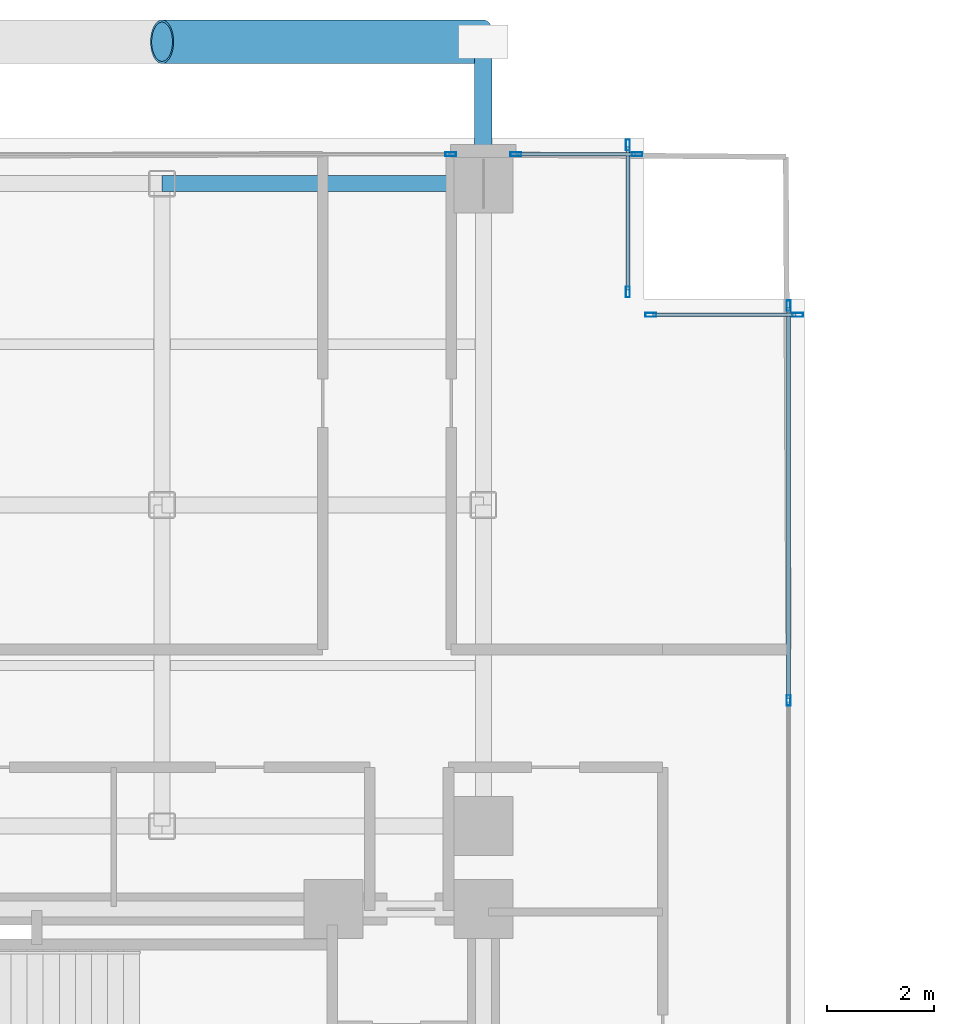
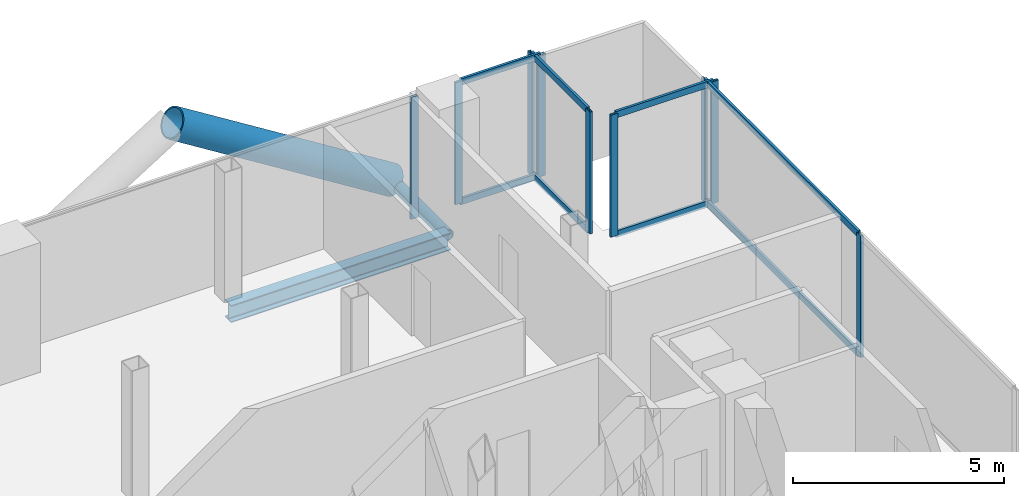
# One storey, part 16 of 24: 19 members, 1 beam, 5 elements without a shape of their own.
"""IFC4 building model written with IfcOpenShell, lengths in metres."""

from ifc_helpers import new_model, si_unit, direction, frame, origin, origin_2d, place, context, subcontext, project, spatial, hollow_rectangle, hollow_circle, i_section, extrude, material, layer, layer_set, material_profile, profile_set, type_object, element, aggregate, save


model = new_model("IFC4")

# Units and contexts
model_context = context("Model", 3, precision=1e-05, world=origin(), true_north=direction((0.0, 1.0)))
body_context = subcontext(model_context, "Body", "Model", "MODEL_VIEW")
ifc_project = project(units=[si_unit("LENGTHUNIT", "METRE"), si_unit("AREAUNIT", "SQUARE_METRE"), si_unit("VOLUMEUNIT", "CUBIC_METRE"), si_unit("PLANEANGLEUNIT", "RADIAN"), si_unit("MASSUNIT", "GRAM", prefix="KILO"), si_unit("THERMODYNAMICTEMPERATUREUNIT", "KELVIN"), si_unit("POWERUNIT", "WATT")], contexts=[model_context])

# Site, building, storey
site_placement = place(None, origin())
site = spatial("IfcSite", under=ifc_project, at=site_placement, CompositionType="ELEMENT")
building_placement = place(site_placement, origin())
building = spatial("IfcBuilding", under=site, at=building_placement, Name="Svarakhadi Broadcast Tower", CompositionType="ELEMENT")
storey_placement = place(building_placement, frame((0.0, 0.0, 141.89990234375)))
storey = spatial("IfcBuildingStorey", under=building, at=storey_placement, Name="L34", CompositionType="ELEMENT", Elevation=141.89990234375)

# Curtain wall, member
ifc_material_1 = material(Name="Anodised Bronze Aluminium AA 6063-T6", Category="aluminium")
ifc_layer = layer(ifc_material_1, 0.199951171875)
ifc_layer_set = layer_set([ifc_layer], Name="Anodised Bronze Aluminium AA 6063-T6")
curtain_wall_type = type_object("IfcCurtainWallType", Name="CW_Sys_03", PredefinedType="NOTDEFINED", material=ifc_layer_set)
curtain_wall_1_placement = place(storey_placement, origin())
curtain_wall_1 = element("IfcCurtainWall", 1, at=curtain_wall_1_placement, inside=storey, type_object=curtain_wall_type, Name="L34 Unitised Facade Curtain Wall 06 Bay 2", PredefinedType="NOTDEFINED")
ifc_material_profile_1 = material_profile(ifc_material_1, hollow_rectangle(XDim=0.074951171875, YDim=0.199951171875, WallThickness=0.005615234375, at=origin_2d()), Name="ALU MULLION 200x75x6")
ifc_profile_set_1 = profile_set([ifc_material_profile_1], Name="Anodised Bronze Aluminium AA 6063-T6")
member_type_1 = type_object("IfcMemberType", Name="CW_Sys_03_Mul", PredefinedType="MULLION", material=ifc_profile_set_1)
member_1_placement = place(storey_placement, frame((17.392578125, 41.699951171875, 0.0), z_axis=(0.0, 0.0, 1.0), x_axis=(0.0, 1.0, 0.0)))
member_1 = element("IfcMember", 2, at=member_1_placement, type_object=member_type_1, Name="CW-03 mullion 2", PredefinedType="MULLION", context=body_context, shape_type="SweptSolid", body=[
    extrude(hollow_rectangle(XDim=0.074951171875, YDim=0.199951171875, WallThickness=0.005615234375, at=origin_2d()), origin(), (0.0, 0.0, 1.0), 3.525146484375),
])
aggregate(curtain_wall_1, [member_1])

# Curtain wall, members
curtain_wall_2_placement = place(storey_placement, origin())
curtain_wall_2 = element("IfcCurtainWall", 3, at=curtain_wall_2_placement, inside=storey, type_object=curtain_wall_type, Name="L34 Unitised Facade Curtain Wall 06 Bay 3", PredefinedType="NOTDEFINED")
member_2_placement = place(storey_placement, frame((18.607421875, 41.699951171875, 0.0), z_axis=(0.0, 0.0, 1.0), x_axis=(0.0, 1.0, 0.0)))
member_2 = element("IfcMember", 4, at=member_2_placement, type_object=member_type_1, Name="CW-03 mullion 1", PredefinedType="MULLION", context=body_context, shape_type="SweptSolid", body=[
    extrude(hollow_rectangle(XDim=0.074951171875, YDim=0.199951171875, WallThickness=0.005615234375, at=origin_2d()), origin(), (0.0, 0.0, 1.0), 3.525146484375),
])
member_3_placement = place(storey_placement, frame((20.87255859375, 41.699951171875, 0.0), z_axis=(0.0, 0.0, 1.0), x_axis=(0.0, 1.0, 0.0)))
member_3 = element("IfcMember", 5, at=member_3_placement, type_object=member_type_1, Name="CW-03 mullion 2", PredefinedType="MULLION", context=body_context, shape_type="SweptSolid", body=[
    extrude(hollow_rectangle(XDim=0.074951171875, YDim=0.199951171875, WallThickness=0.005615234375, at=origin_2d()), origin(), (0.0, 0.0, 1.0), 3.525146484375),
])

curtain_wall_3_placement = place(storey_placement, origin())
curtain_wall_3 = element("IfcCurtainWall", 6, at=curtain_wall_3_placement, inside=storey, type_object=curtain_wall_type, Name="L34 Unitised Facade Curtain Wall 07", PredefinedType="NOTDEFINED")
member_4_placement = place(storey_placement, frame((20.699951171875, 41.87255859375, 0.0), z_axis=(0.0, 0.0, 1.0), x_axis=(1.0, 0.0, 0.0)))
member_4 = element("IfcMember", 7, at=member_4_placement, type_object=member_type_1, Name="CW-03 mullion 1", PredefinedType="MULLION", context=body_context, shape_type="SweptSolid", body=[
    extrude(hollow_rectangle(XDim=0.074951171875, YDim=0.199951171875, WallThickness=0.005615234375, at=origin_2d()), origin(), (0.0, 0.0, 1.0), 3.525146484375),
])
member_5_placement = place(storey_placement, frame((20.699951171875, 39.12744140625, 0.0), z_axis=(0.0, 0.0, 1.0), x_axis=(1.0, 0.0, 0.0)))
member_5 = element("IfcMember", 8, at=member_5_placement, type_object=member_type_1, Name="CW-03 mullion 2", PredefinedType="MULLION", context=body_context, shape_type="SweptSolid", body=[
    extrude(hollow_rectangle(XDim=0.074951171875, YDim=0.199951171875, WallThickness=0.005615234375, at=origin_2d()), origin(), (0.0, 0.0, 1.0), 3.525146484375),
])

curtain_wall_4_placement = place(storey_placement, origin())
curtain_wall_4 = element("IfcCurtainWall", 9, at=curtain_wall_4_placement, inside=storey, type_object=curtain_wall_type, Name="L34 Unitised Facade Curtain Wall 08", PredefinedType="NOTDEFINED")
member_6_placement = place(storey_placement, frame((21.12744140625, 38.699951171875, 0.0), z_axis=(0.0, 0.0, 1.0), x_axis=(0.0, 1.0, 0.0)))
member_6 = element("IfcMember", 10, at=member_6_placement, type_object=member_type_1, Name="CW-03 mullion 1", PredefinedType="MULLION", context=body_context, shape_type="SweptSolid", body=[
    extrude(hollow_rectangle(XDim=0.074951171875, YDim=0.199951171875, WallThickness=0.005615234375, at=origin_2d()), origin(), (0.0, 0.0, 1.0), 3.525146484375),
])
member_7_placement = place(storey_placement, frame((23.87255859375, 38.699951171875, 0.0), z_axis=(0.0, 0.0, 1.0), x_axis=(0.0, 1.0, 0.0)))
member_7 = element("IfcMember", 11, at=member_7_placement, type_object=member_type_1, Name="CW-03 mullion 2", PredefinedType="MULLION", context=body_context, shape_type="SweptSolid", body=[
    extrude(hollow_rectangle(XDim=0.074951171875, YDim=0.199951171875, WallThickness=0.005615234375, at=origin_2d()), origin(), (0.0, 0.0, 1.0), 3.525146484375),
])

curtain_wall_5_placement = place(storey_placement, origin())
curtain_wall_5 = element("IfcCurtainWall", 12, at=curtain_wall_5_placement, inside=storey, type_object=curtain_wall_type, Name="L34 Unitised Facade Curtain Wall 09", PredefinedType="NOTDEFINED")
member_8_placement = place(storey_placement, frame((23.699951171875, 38.87255859375, 0.0), z_axis=(0.0, 0.0, 1.0), x_axis=(1.0, 0.0, 0.0)))
member_8 = element("IfcMember", 13, at=member_8_placement, type_object=member_type_1, Name="CW-03 mullion 1", PredefinedType="MULLION", context=body_context, shape_type="SweptSolid", body=[
    extrude(hollow_rectangle(XDim=0.074951171875, YDim=0.199951171875, WallThickness=0.005615234375, at=origin_2d()), origin(), (0.0, 0.0, 1.0), 3.525146484375),
])
member_9_placement = place(storey_placement, frame((23.699951171875, 31.5, 0.0), z_axis=(0.0, 0.0, 1.0), x_axis=(1.0, 0.0, 0.0)))
member_9 = element("IfcMember", 14, at=member_9_placement, type_object=member_type_1, Name="CW-03 mullion 2", PredefinedType="MULLION", context=body_context, shape_type="SweptSolid", body=[
    extrude(hollow_rectangle(XDim=0.074951171875, YDim=0.199951171875, WallThickness=0.005615234375, at=origin_2d()), origin(), (0.0, 0.0, 1.0), 3.525146484375),
])

# Member
ifc_material_profile_2 = material_profile(ifc_material_1, hollow_rectangle(XDim=0.070068359375, YDim=0.18505859375, WallThickness=0.0048828125, at=origin_2d()), Name="ALU TRANSOM 185x70x5")
ifc_profile_set_2 = profile_set([ifc_material_profile_2], Name="Anodised Bronze Aluminium AA 6063-T6")
member_type_2 = type_object("IfcMemberType", Name="CW_Sys_03_Trn", PredefinedType="USERDEFINED", material=ifc_profile_set_2)
member_10_placement = place(storey_placement, frame((18.64501953125, 41.699951171875, 0.03515625), z_axis=(1.0, 0.0, 0.0), x_axis=(0.0, 1.0, 0.0)))
member_10 = element("IfcMember", 15, at=member_10_placement, type_object=member_type_2, Name="CW-03 transom 1.1", ObjectType="TRANSOM", PredefinedType="USERDEFINED", context=body_context, shape_type="SweptSolid", body=[
    extrude(hollow_rectangle(XDim=0.070068359375, YDim=0.18505859375, WallThickness=0.0048828125, at=origin_2d()), origin(), (0.0, 0.0, 1.0), 2.18994140625),
])

member_11_placement = place(storey_placement, frame((18.64501953125, 41.699951171875, 3.489990234375), z_axis=(1.0, 0.0, 0.0), x_axis=(0.0, 1.0, 0.0)))
member_11 = element("IfcMember", 16, at=member_11_placement, type_object=member_type_2, Name="CW-03 transom 1.2", ObjectType="TRANSOM", PredefinedType="USERDEFINED", context=body_context, shape_type="SweptSolid", body=[
    extrude(hollow_rectangle(XDim=0.070068359375, YDim=0.18505859375, WallThickness=0.0048828125, at=origin_2d()), origin(), (0.0, 0.0, 1.0), 2.18994140625),
])

aggregate(curtain_wall_2, [member_2, member_3, member_10, member_11])

member_12_placement = place(storey_placement, frame((20.699951171875, 41.8349609375, 0.03515625), z_axis=(0.0, -1.0, 0.0), x_axis=(1.0, 0.0, 0.0)))
member_12 = element("IfcMember", 17, at=member_12_placement, type_object=member_type_2, Name="CW-03 transom 1.1", ObjectType="TRANSOM", PredefinedType="USERDEFINED", context=body_context, shape_type="SweptSolid", body=[
    extrude(hollow_rectangle(XDim=0.070068359375, YDim=0.18505859375, WallThickness=0.0048828125, at=origin_2d()), origin(), (0.0, 0.0, 1.0), 2.669921875),
])

member_13_placement = place(storey_placement, frame((20.699951171875, 41.8349609375, 3.489990234375), z_axis=(0.0, -1.0, 0.0), x_axis=(1.0, 0.0, 0.0)))
member_13 = element("IfcMember", 18, at=member_13_placement, type_object=member_type_2, Name="CW-03 transom 1.2", ObjectType="TRANSOM", PredefinedType="USERDEFINED", context=body_context, shape_type="SweptSolid", body=[
    extrude(hollow_rectangle(XDim=0.070068359375, YDim=0.18505859375, WallThickness=0.0048828125, at=origin_2d()), origin(), (0.0, 0.0, 1.0), 2.669921875),
])

aggregate(curtain_wall_3, [member_4, member_5, member_12, member_13])

member_14_placement = place(storey_placement, frame((21.1650390625, 38.699951171875, 0.03515625), z_axis=(1.0, 0.0, 0.0), x_axis=(0.0, 1.0, 0.0)))
member_14 = element("IfcMember", 19, at=member_14_placement, type_object=member_type_2, Name="CW-03 transom 1.1", ObjectType="TRANSOM", PredefinedType="USERDEFINED", context=body_context, shape_type="SweptSolid", body=[
    extrude(hollow_rectangle(XDim=0.070068359375, YDim=0.18505859375, WallThickness=0.0048828125, at=origin_2d()), origin(), (0.0, 0.0, 1.0), 2.669921875),
])

member_15_placement = place(storey_placement, frame((21.1650390625, 38.699951171875, 3.489990234375), z_axis=(1.0, 0.0, 0.0), x_axis=(0.0, 1.0, 0.0)))
member_15 = element("IfcMember", 20, at=member_15_placement, type_object=member_type_2, Name="CW-03 transom 1.2", ObjectType="TRANSOM", PredefinedType="USERDEFINED", context=body_context, shape_type="SweptSolid", body=[
    extrude(hollow_rectangle(XDim=0.070068359375, YDim=0.18505859375, WallThickness=0.0048828125, at=origin_2d()), origin(), (0.0, 0.0, 1.0), 2.669921875),
])

aggregate(curtain_wall_4, [member_6, member_7, member_14, member_15])

member_16_placement = place(storey_placement, frame((23.699951171875, 38.8349609375, 0.03515625), z_axis=(0.0, -1.0, 0.0), x_axis=(1.0, 0.0, 0.0)))
member_16 = element("IfcMember", 21, at=member_16_placement, type_object=member_type_2, Name="CW-03 transom 1.1", ObjectType="TRANSOM", PredefinedType="USERDEFINED", context=body_context, shape_type="SweptSolid", body=[
    extrude(hollow_rectangle(XDim=0.070068359375, YDim=0.18505859375, WallThickness=0.0048828125, at=origin_2d()), origin(), (0.0, 0.0, 1.0), 7.29736328125),
])

member_17_placement = place(storey_placement, frame((23.699951171875, 38.8349609375, 3.489990234375), z_axis=(0.0, -1.0, 0.0), x_axis=(1.0, 0.0, 0.0)))
member_17 = element("IfcMember", 22, at=member_17_placement, type_object=member_type_2, Name="CW-03 transom 1.2", ObjectType="TRANSOM", PredefinedType="USERDEFINED", context=body_context, shape_type="SweptSolid", body=[
    extrude(hollow_rectangle(XDim=0.070068359375, YDim=0.18505859375, WallThickness=0.0048828125, at=origin_2d()), origin(), (0.0, 0.0, 1.0), 7.29736328125),
])

aggregate(curtain_wall_5, [member_8, member_9, member_16, member_17])

# Members
ifc_material_2 = material(Name="Steel S460ML (IS 2062 E450BR)", Category="steel")
ifc_material_profile_3 = material_profile(ifc_material_2, hollow_circle(Radius=0.406494140625, WallThickness=0.0400390625, at=origin_2d()), Name="CHS 813x40")
ifc_profile_set_3 = profile_set([ifc_material_profile_3], Name="Steel S460ML (IS 2062 E450BR)")
member_type_3 = type_object("IfcMemberType", Name="Exo_Brace_CHS813", PredefinedType="BRACE", material=ifc_profile_set_3)
member_18_placement = place(storey_placement, frame((18.0, 43.800048828125, -0.386962890625), z_axis=(-0.847998304005, 0.0, 0.529998940003), x_axis=(0.0, -1.0, 0.0)))
element("IfcMember", 23, at=member_18_placement, inside=storey, type_object=member_type_3, Name="L34 Exposed Bronze Exoskeleton Diagonal N09", PredefinedType="BRACE", context=body_context, shape_type="SweptSolid", body=[
    extrude(hollow_circle(Radius=0.406494140625, WallThickness=0.0400390625, at=origin_2d()), origin(), (0.0, 0.0, 1.0), 7.075439453125),
])
ifc_material_profile_4 = material_profile(ifc_material_2, hollow_circle(Radius=0.161865234375, WallThickness=0.01611328125, at=origin_2d()), Name="CHS 323.9x16")
ifc_profile_set_4 = profile_set([ifc_material_profile_4], Name="Steel S460ML (IS 2062 E450BR)")
member_type_4 = type_object("IfcMemberType", Name="Exo_Radial_Strut_Z2", PredefinedType="STRUT", material=ifc_profile_set_4)
member_19_placement = place(storey_placement, frame((18.0, 43.800048828125, -0.386962890625), z_axis=(0.0, -1.0, 0.0), x_axis=(1.0, 0.0, 0.0)))
element("IfcMember", 24, at=member_19_placement, inside=storey, type_object=member_type_4, Name="L34 Exoskeleton Radial Tie Strut N11", PredefinedType="STRUT", context=body_context, shape_type="SweptSolid", body=[
    extrude(hollow_circle(Radius=0.161865234375, WallThickness=0.01611328125, at=origin_2d()), origin(), (0.0, 0.0, 1.0), 2.650146484375),
])

# Beam
ifc_material_3 = material(Name="Steel S355J2 (IS 2062 E350C)", Category="steel")
ifc_material_profile_5 = material_profile(ifc_material_3, i_section(OverallWidth=0.300048828125, OverallDepth=0.5, WebThickness=0.014404296875, FlangeThickness=0.028076171875, FilletRadius=0.027099609375, at=origin_2d()), Name="WPB 500x300x187")
ifc_profile_set_5 = profile_set([ifc_material_profile_5], Name="Steel S355J2 (IS 2062 E350C)")
beam_type = type_object("IfcBeamType", Name="Girder_WPB500", PredefinedType="USERDEFINED", material=ifc_profile_set_5)
beam_placement = place(storey_placement, frame((12.0, 41.14990234375, -0.474853515625), z_axis=(1.0, 0.0, 0.0), x_axis=(0.0, 1.0, 0.0)))
element("IfcBeam", 25, at=beam_placement, inside=storey, type_object=beam_type, Name="L34 Primary E-W Girder G039", ObjectType="GIRDER", PredefinedType="USERDEFINED", context=body_context, shape_type="SweptSolid", body=[
    extrude(i_section(OverallWidth=0.300048828125, OverallDepth=0.5, WebThickness=0.014404296875, FlangeThickness=0.028076171875, FilletRadius=0.027099609375, at=origin_2d()), origin(), (0.0, 0.0, 1.0), 6.0),
])

save(model, "model.ifc")
